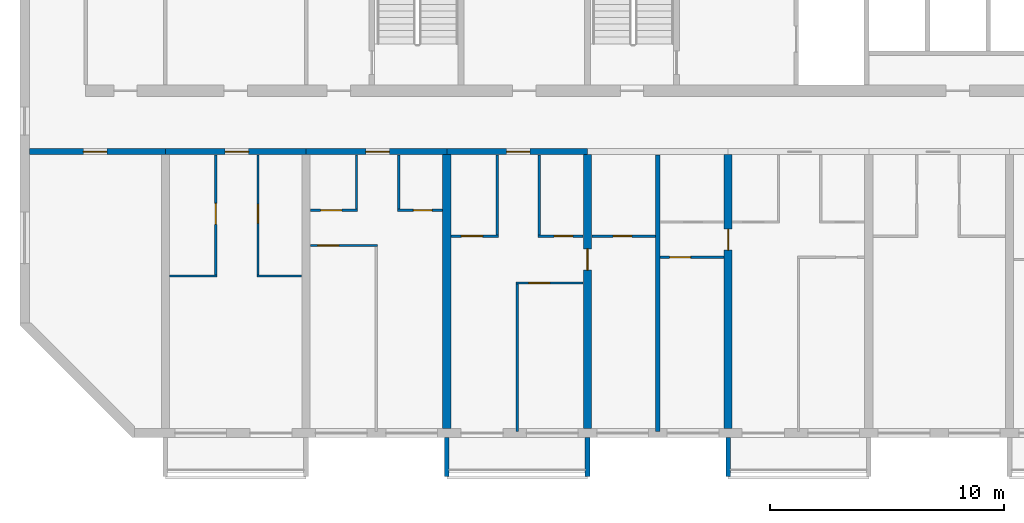
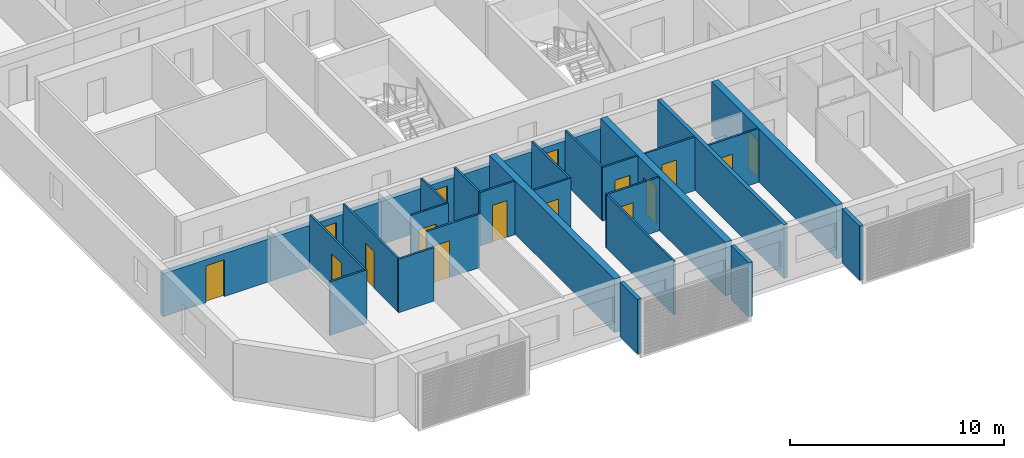
# One storey, part 2 of 25: 28 walls, 16 doors, 16 openings.
"""IFC4 building model written with IfcOpenShell, lengths in metres."""

from ifc_helpers import new_model, si_unit, direction, frame, frame_2d, origin, place, context, subcontext, project, spatial, polyline, rectangle, outline, extrude, source, transform, mapped, material, layer, layer_set, type_object, element, fill, save


model = new_model("IFC4")

# Units and contexts
model_context = context("Model", 3, precision=1e-05, world=origin(), true_north=direction((0.0, 1.0)))
body_context = subcontext(model_context, "Body", "Model", "MODEL_VIEW")
ifc_project = project(units=[si_unit("LENGTHUNIT", "METRE"), si_unit("AREAUNIT", "SQUARE_METRE"), si_unit("VOLUMEUNIT", "CUBIC_METRE"), si_unit("PLANEANGLEUNIT", "RADIAN"), si_unit("MASSUNIT", "GRAM", prefix="KILO")], contexts=[model_context])

# Site, building, storey
site_placement = place(None, origin())
site = spatial("IfcSite", under=ifc_project, at=site_placement, CompositionType="ELEMENT")
building_placement = place(site_placement, origin())
building = spatial("IfcBuilding", under=site, at=building_placement, Name="Poui Terraces", CompositionType="ELEMENT")
storey_placement = place(building_placement, frame((0.0, 0.0, 89.39990234375)))
storey = spatial("IfcBuildingStorey", under=building, at=storey_placement, Name="L24", CompositionType="ELEMENT", Elevation=89.39990234375)

# Wall, opening, door
ifc_material_1 = material(Name="Concrete 65 MPa", Category="concrete")
ifc_layer_1 = layer(ifc_material_1, 0.25)
ifc_layer_set_1 = layer_set([ifc_layer_1], Name="Concrete 65 MPa")
wall_type_1 = type_object("IfcWallType", Name="CORRIDOR WALL 250 65MPa", PredefinedType="SHEAR", material=ifc_layer_set_1)
wall_1_placement = place(storey_placement, frame((6.199951171875, 12.0, 0.0), z_axis=(0.0, 0.0, 1.0), x_axis=(1.0, 0.0, 0.0)))
wall_1 = element("IfcWall", 1, at=wall_1_placement, inside=storey, type_object=wall_type_1, Name="CORRIDOR WALL LINE B BAY 1", PredefinedType="SHEAR", context=body_context, shape_type="SweptSolid", body=[
    extrude(rectangle(XDim=5.800048828125, YDim=0.25, at=frame_2d((2.89990234375, 0.0))), origin(), (0.0, 0.0, 1.0), 2.460205078125),
])
opening_1_placement = place(wall_1_placement, frame((2.300048828125, 0.0, 0.0)))
opening_1 = element("IfcOpeningElement", 2, at=opening_1_placement, cuts=wall_1, Name="Opening D100", PredefinedType="OPENING", context=body_context, shape_type="SweptSolid", body=[
    extrude(rectangle(XDim=1.0, YDim=2.10009765625, at=frame_2d((0.5, 1.050048828125))), frame((0.0, 0.135009765625, 0.0), z_axis=(0.0, -1.0, 0.0), x_axis=(1.0, 0.0, 0.0)), (0.0, 0.0, 1.0), 0.27001953125),
])
ifc_material_2 = material(Name="Solid core timber door", Category="wood")
door_type_1 = type_object("IfcDoorType", Name="ACCESSIBLE INTERNAL DOOR 1000 X 2100", OperationType="NOTDEFINED", PredefinedType="DOOR", material=ifc_material_2)
door_1_placement = place(opening_1_placement, frame((1.0, 0.0, 0.0), z_axis=(0.0, 0.0, 1.0), x_axis=(-1.0, 0.0, 0.0)))
door_1 = element("IfcDoor", 3, at=door_1_placement, inside=storey, type_object=door_type_1, Name="ACCESSIBLE INTERNAL DOOR 085", OperationType="SINGLE_SWING_RIGHT", OverallHeight=2.10009765625, OverallWidth=1.0, PredefinedType="DOOR", context=body_context, shape_type="SweptSolid", body=[
    extrude(rectangle(XDim=1.0, YDim=2.10009765625, at=frame_2d((0.5, 1.050048828125))), frame((0.0, 0.02490234375, 0.0), z_axis=(0.0, -1.0, 0.0), x_axis=(1.0, 0.0, 0.0)), (0.0, 0.0, 1.0), 0.050048828125),
])
fill(opening_1, door_1)

wall_2_placement = place(storey_placement, frame((12.0, 12.0, 0.0), z_axis=(0.0, 0.0, 1.0), x_axis=(1.0, 0.0, 0.0)))
wall_2 = element("IfcWall", 4, at=wall_2_placement, inside=storey, type_object=wall_type_1, Name="CORRIDOR WALL LINE B BAY 2", PredefinedType="SHEAR", context=body_context, shape_type="SweptSolid", body=[
    extrude(rectangle(XDim=6.0, YDim=0.25, at=frame_2d((3.0, 0.0))), origin(), (0.0, 0.0, 1.0), 2.460205078125),
])
opening_2_placement = place(wall_2_placement, frame((2.550048828125, 0.0, 0.0)))
opening_2 = element("IfcOpeningElement", 5, at=opening_2_placement, cuts=wall_2, Name="Opening FD30S", PredefinedType="OPENING", context=body_context, shape_type="SweptSolid", body=[
    extrude(rectangle(XDim=1.0, YDim=2.10009765625, at=frame_2d((0.5, 1.050048828125))), frame((0.0, 0.135009765625, 0.0), z_axis=(0.0, -1.0, 0.0), x_axis=(1.0, 0.0, 0.0)), (0.0, 0.0, 1.0), 0.27001953125),
])
ifc_material_3 = material(Name="Steel fire door", Category="steel")
door_type_2 = type_object("IfcDoorType", Name="FLAT ENTRANCE DOOR 1000 X 2100", OperationType="NOTDEFINED", PredefinedType="DOOR", material=ifc_material_3)
door_2_placement = place(opening_2_placement, frame((1.0, 0.0, 0.0), z_axis=(0.0, 0.0, 1.0), x_axis=(-1.0, 0.0, 0.0)))
door_2 = element("IfcDoor", 6, at=door_2_placement, inside=storey, type_object=door_type_2, Name="FLAT ENTRANCE DOOR 087", OperationType="SINGLE_SWING_LEFT", OverallHeight=2.10009765625, OverallWidth=1.0, PredefinedType="DOOR", context=body_context, shape_type="SweptSolid", body=[
    extrude(rectangle(XDim=1.0, YDim=2.10009765625, at=frame_2d((0.5, 1.050048828125))), frame((0.0, 0.02490234375, 0.0), z_axis=(0.0, -1.0, 0.0), x_axis=(1.0, 0.0, 0.0)), (0.0, 0.0, 1.0), 0.050048828125),
])
fill(opening_2, door_2)

wall_3_placement = place(storey_placement, frame((18.0, 12.0, 0.0), z_axis=(0.0, 0.0, 1.0), x_axis=(1.0, 0.0, 0.0)))
wall_3 = element("IfcWall", 7, at=wall_3_placement, inside=storey, type_object=wall_type_1, Name="CORRIDOR WALL LINE B BAY 3", PredefinedType="SHEAR", context=body_context, shape_type="SweptSolid", body=[
    extrude(rectangle(XDim=6.0, YDim=0.25, at=frame_2d((3.0, 0.0))), origin(), (0.0, 0.0, 1.0), 2.460205078125),
])
opening_3_placement = place(wall_3_placement, frame((2.550048828125, 0.0, 0.0)))
opening_3 = element("IfcOpeningElement", 8, at=opening_3_placement, cuts=wall_3, Name="Opening FD30S", PredefinedType="OPENING", context=body_context, shape_type="SweptSolid", body=[
    extrude(rectangle(XDim=1.0, YDim=2.10009765625, at=frame_2d((0.5, 1.050048828125))), frame((0.0, 0.135009765625, 0.0), z_axis=(0.0, -1.0, 0.0), x_axis=(1.0, 0.0, 0.0)), (0.0, 0.0, 1.0), 0.27001953125),
])
door_3_placement = place(opening_3_placement, frame((1.0, 0.0, 0.0), z_axis=(0.0, 0.0, 1.0), x_axis=(-1.0, 0.0, 0.0)))
door_3 = element("IfcDoor", 9, at=door_3_placement, inside=storey, type_object=door_type_2, Name="FLAT ENTRANCE DOOR 091", OperationType="SINGLE_SWING_LEFT", OverallHeight=2.10009765625, OverallWidth=1.0, PredefinedType="DOOR", context=body_context, shape_type="SweptSolid", body=[
    extrude(rectangle(XDim=1.0, YDim=2.10009765625, at=frame_2d((0.5, 1.050048828125))), frame((0.0, 0.02490234375, 0.0), z_axis=(0.0, -1.0, 0.0), x_axis=(1.0, 0.0, 0.0)), (0.0, 0.0, 1.0), 0.050048828125),
])
fill(opening_3, door_3)

wall_4_placement = place(storey_placement, frame((24.0, 12.0, 0.0), z_axis=(0.0, 0.0, 1.0), x_axis=(1.0, 0.0, 0.0)))
wall_4 = element("IfcWall", 10, at=wall_4_placement, inside=storey, type_object=wall_type_1, Name="CORRIDOR WALL LINE B BAY 4", PredefinedType="SHEAR", context=body_context, shape_type="SweptSolid", body=[
    extrude(rectangle(XDim=6.0, YDim=0.25, at=frame_2d((3.0, 0.0))), origin(), (0.0, 0.0, 1.0), 2.460205078125),
])
opening_4_placement = place(wall_4_placement, frame((2.550048828125, 0.0, 0.0)))
opening_4 = element("IfcOpeningElement", 11, at=opening_4_placement, cuts=wall_4, Name="Opening FD30S", PredefinedType="OPENING", context=body_context, shape_type="SweptSolid", body=[
    extrude(rectangle(XDim=1.0, YDim=2.10009765625, at=frame_2d((0.5, 1.050048828125))), frame((0.0, 0.135009765625, 0.0), z_axis=(0.0, -1.0, 0.0), x_axis=(1.0, 0.0, 0.0)), (0.0, 0.0, 1.0), 0.27001953125),
])
door_4_placement = place(opening_4_placement, frame((1.0, 0.0, 0.0), z_axis=(0.0, 0.0, 1.0), x_axis=(-1.0, 0.0, 0.0)))
door_4 = element("IfcDoor", 12, at=door_4_placement, inside=storey, type_object=door_type_2, Name="FLAT ENTRANCE DOOR 095", OperationType="SINGLE_SWING_LEFT", OverallHeight=2.10009765625, OverallWidth=1.0, PredefinedType="DOOR", context=body_context, shape_type="SweptSolid", body=[
    extrude(rectangle(XDim=1.0, YDim=2.10009765625, at=frame_2d((0.5, 1.050048828125))), frame((0.0, 0.02490234375, 0.0), z_axis=(0.0, -1.0, 0.0), x_axis=(1.0, 0.0, 0.0)), (0.0, 0.0, 1.0), 0.050048828125),
])
fill(opening_4, door_4)

# Wall
ifc_layer_2 = layer(ifc_material_1, 0.35009765625)
ifc_layer_set_2 = layer_set([ifc_layer_2], Name="Concrete 65 MPa")
wall_type_2 = type_object("IfcWallType", Name="CROSS WALL 350 65MPa", PredefinedType="SHEAR", material=ifc_layer_set_2)
wall_5_placement = place(storey_placement, frame((24.0, 0.199951171875, 0.0), z_axis=(0.0, 0.0, 1.0), x_axis=(0.0, 1.0, 0.0)))
element("IfcWall", 13, at=wall_5_placement, inside=storey, type_object=wall_type_2, Name="CROSS WALL LINE 5 SOUTH", PredefinedType="SHEAR", context=body_context, shape_type="SweptSolid", body=[
    extrude(rectangle(XDim=11.675048828125, YDim=0.35009765625, at=frame_2d((5.83740234375, 0.0))), origin(), (0.0, 0.0, 1.0), 3.06005859375),
])

# Wall, opening, door
wall_6_placement = place(storey_placement, frame((30.0, 0.199951171875, 0.0), z_axis=(0.0, 0.0, 1.0), x_axis=(0.0, 1.0, 0.0)))
wall_6 = element("IfcWall", 14, at=wall_6_placement, inside=storey, type_object=wall_type_2, Name="CROSS WALL LINE 6 SOUTH", PredefinedType="SHEAR", context=body_context, shape_type="SweptSolid", body=[
    extrude(rectangle(XDim=11.675048828125, YDim=0.35009765625, at=frame_2d((5.83740234375, 0.0))), origin(), (0.0, 0.0, 1.0), 3.06005859375),
])
opening_5_placement = place(wall_6_placement, frame((6.75, 0.0, 0.0)))
opening_5 = element("IfcOpeningElement", 15, at=opening_5_placement, cuts=wall_6, Name="Opening D90", PredefinedType="OPENING", context=body_context, shape_type="SweptSolid", body=[
    extrude(rectangle(XDim=0.89990234375, YDim=2.10009765625, at=frame_2d((0.449951171875, 1.050048828125))), frame((0.0, 0.18505859375, 0.0), z_axis=(0.0, -1.0, 0.0), x_axis=(1.0, 0.0, 0.0)), (0.0, 0.0, 1.0), 0.3701171875),
])
door_type_3 = type_object("IfcDoorType", Name="INTERNAL DOOR 900 X 2100", OperationType="NOTDEFINED", PredefinedType="DOOR", material=ifc_material_2)
door_5_placement = place(opening_5_placement, frame((0.89990234375, 0.0, 0.0), z_axis=(0.0, 0.0, 1.0), x_axis=(-1.0, 0.0, 0.0)))
door_5 = element("IfcDoor", 16, at=door_5_placement, inside=storey, type_object=door_type_3, Name="INTERNAL DOOR 098", OperationType="SINGLE_SWING_LEFT", OverallHeight=2.10009765625, OverallWidth=0.89990234375, PredefinedType="DOOR", context=body_context, shape_type="SweptSolid", body=[
    extrude(rectangle(XDim=0.89990234375, YDim=2.10009765625, at=frame_2d((0.449951171875, 1.050048828125))), frame((0.0, 0.02490234375, 0.0), z_axis=(0.0, -1.0, 0.0), x_axis=(1.0, 0.0, 0.0)), (0.0, 0.0, 1.0), 0.050048828125),
])
fill(opening_5, door_5)

wall_7_placement = place(storey_placement, frame((36.0, 0.199951171875, 0.0), z_axis=(0.0, 0.0, 1.0), x_axis=(0.0, 1.0, 0.0)))
wall_7 = element("IfcWall", 17, at=wall_7_placement, inside=storey, type_object=wall_type_2, Name="CROSS WALL LINE 7 SOUTH", PredefinedType="SHEAR", context=body_context, shape_type="SweptSolid", body=[
    extrude(rectangle(XDim=11.675048828125, YDim=0.35009765625, at=frame_2d((5.83740234375, 0.0))), origin(), (0.0, 0.0, 1.0), 3.06005859375),
])
opening_6_placement = place(wall_7_placement, frame((7.60009765625, 0.0, 0.0)))
opening_6 = element("IfcOpeningElement", 18, at=opening_6_placement, cuts=wall_7, Name="Opening D90", PredefinedType="OPENING", context=body_context, shape_type="SweptSolid", body=[
    extrude(rectangle(XDim=0.89990234375, YDim=2.10009765625, at=frame_2d((0.449951171875, 1.050048828125))), frame((0.0, 0.18505859375, 0.0), z_axis=(0.0, -1.0, 0.0), x_axis=(1.0, 0.0, 0.0)), (0.0, 0.0, 1.0), 0.3701171875),
])
door_6_placement = place(opening_6_placement, frame((0.89990234375, 0.0, 0.0), z_axis=(0.0, 0.0, 1.0), x_axis=(-1.0, 0.0, 0.0)))
door_6 = element("IfcDoor", 19, at=door_6_placement, inside=storey, type_object=door_type_3, Name="INTERNAL DOOR 101", OperationType="SINGLE_SWING_LEFT", OverallHeight=2.10009765625, OverallWidth=0.89990234375, PredefinedType="DOOR", context=body_context, shape_type="SweptSolid", body=[
    extrude(rectangle(XDim=0.89990234375, YDim=2.10009765625, at=frame_2d((0.449951171875, 1.050048828125))), frame((0.0, 0.02490234375, 0.0), z_axis=(0.0, -1.0, 0.0), x_axis=(1.0, 0.0, 0.0)), (0.0, 0.0, 1.0), 0.050048828125),
])
fill(opening_6, door_6)

ifc_material_4 = material(Name="Plasterboard partition")
ifc_layer_3 = layer(ifc_material_4, 0.10009765625)
ifc_layer_set_3 = layer_set([ifc_layer_3], Name="Plasterboard partition")
wall_type_3 = type_object("IfcWallType", Name="FLAT PARTITION 100", PredefinedType="PARTITIONING", material=ifc_layer_set_3)
wall_8_placement = place(storey_placement, frame((26.949951171875, 6.39990234375, 0.0), z_axis=(0.0, 0.0, 1.0), x_axis=(1.0, 0.0, 0.0)))
wall_8 = element("IfcWall", 20, at=wall_8_placement, inside=storey, type_object=wall_type_3, Name="FLAT PARTITION 100", PredefinedType="PARTITIONING", context=body_context, shape_type="SweptSolid", body=[
    extrude(rectangle(XDim=2.864990234375, YDim=0.10009765625, at=frame_2d((1.4326171875, 0.0))), origin(), (0.0, 0.0, 1.0), 3.06005859375),
])
opening_7_placement = place(wall_8_placement, frame((0.550048828125, 0.0, 0.0)))
opening_7 = element("IfcOpeningElement", 21, at=opening_7_placement, cuts=wall_8, Name="Opening D90", PredefinedType="OPENING", context=body_context, shape_type="SweptSolid", body=[
    extrude(rectangle(XDim=0.89990234375, YDim=2.10009765625, at=frame_2d((0.449951171875, 1.050048828125))), frame((0.0, 0.06005859375, 0.0), z_axis=(0.0, -1.0, 0.0), x_axis=(1.0, 0.0, 0.0)), (0.0, 0.0, 1.0), 0.1201171875),
])
door_7_placement = place(opening_7_placement, origin())
door_7 = element("IfcDoor", 22, at=door_7_placement, inside=storey, type_object=door_type_3, Name="INTERNAL DOOR 096", OperationType="SINGLE_SWING_RIGHT", OverallHeight=2.10009765625, OverallWidth=0.89990234375, PredefinedType="DOOR", context=body_context, shape_type="SweptSolid", body=[
    extrude(rectangle(XDim=0.89990234375, YDim=2.10009765625, at=frame_2d((0.449951171875, 1.050048828125))), frame((0.0, 0.02490234375, 0.0), z_axis=(0.0, -1.0, 0.0), x_axis=(1.0, 0.0, 0.0)), (0.0, 0.0, 1.0), 0.050048828125),
])
fill(opening_7, door_7)

# Walls
wall_9_placement = place(storey_placement, frame((12.18505859375, 6.699951171875, 0.0), z_axis=(0.0, 0.0, 1.0), x_axis=(1.0, 0.0, 0.0)))
element("IfcWall", 23, at=wall_9_placement, inside=storey, type_object=wall_type_3, Name="FLAT PARTITION 100", PredefinedType="PARTITIONING", context=body_context, shape_type="SweptSolid", body=[
    extrude(rectangle(XDim=2.014892578125, YDim=0.10009765625, at=frame_2d((1.00732421875, 0.0))), origin(), (0.0, 0.0, 1.0), 3.06005859375),
])
wall_10_placement = place(storey_placement, frame((15.89990234375, 6.699951171875, 0.0), z_axis=(0.0, 0.0, 1.0), x_axis=(1.0, 0.0, 0.0)))
element("IfcWall", 24, at=wall_10_placement, inside=storey, type_object=wall_type_3, Name="FLAT PARTITION 100", PredefinedType="PARTITIONING", context=body_context, shape_type="SweptSolid", body=[
    extrude(rectangle(XDim=1.9150390625, YDim=0.10009765625, at=frame_2d((0.95751953125, 0.0))), origin(), (0.0, 0.0, 1.0), 3.06005859375),
])

# Wall, opening, door
wall_11_placement = place(storey_placement, frame((33.10009765625, 7.5, 0.0), z_axis=(0.0, 0.0, 1.0), x_axis=(1.0, 0.0, 0.0)))
wall_11 = element("IfcWall", 25, at=wall_11_placement, inside=storey, type_object=wall_type_3, Name="FLAT PARTITION 100", PredefinedType="PARTITIONING", context=body_context, shape_type="SweptSolid", body=[
    extrude(rectangle(XDim=2.71484375, YDim=0.10009765625, at=frame_2d((1.357421875, 0.0))), origin(), (0.0, 0.0, 1.0), 3.06005859375),
])
opening_8_placement = place(wall_11_placement, frame((0.39990234375, 0.0, 0.0)))
opening_8 = element("IfcOpeningElement", 26, at=opening_8_placement, cuts=wall_11, Name="Opening D90", PredefinedType="OPENING", context=body_context, shape_type="SweptSolid", body=[
    extrude(rectangle(XDim=0.89990234375, YDim=2.10009765625, at=frame_2d((0.449951171875, 1.050048828125))), frame((0.0, 0.06005859375, 0.0), z_axis=(0.0, -1.0, 0.0), x_axis=(1.0, 0.0, 0.0)), (0.0, 0.0, 1.0), 0.1201171875),
])
door_8_placement = place(opening_8_placement, frame((0.89990234375, 0.0, 0.0), z_axis=(0.0, 0.0, 1.0), x_axis=(-1.0, 0.0, 0.0)))
door_8 = element("IfcDoor", 27, at=door_8_placement, inside=storey, type_object=door_type_3, Name="INTERNAL DOOR 099", OperationType="SINGLE_SWING_RIGHT", OverallHeight=2.10009765625, OverallWidth=0.89990234375, PredefinedType="DOOR", context=body_context, shape_type="SweptSolid", body=[
    extrude(rectangle(XDim=0.89990234375, YDim=2.10009765625, at=frame_2d((0.449951171875, 1.050048828125))), frame((0.0, 0.02490234375, 0.0), z_axis=(0.0, -1.0, 0.0), x_axis=(1.0, 0.0, 0.0)), (0.0, 0.0, 1.0), 0.050048828125),
])
fill(opening_8, door_8)

wall_12_placement = place(storey_placement, frame((18.18505859375, 8.0, 0.0), z_axis=(0.0, 0.0, 1.0), x_axis=(1.0, 0.0, 0.0)))
wall_12 = element("IfcWall", 28, at=wall_12_placement, inside=storey, type_object=wall_type_3, Name="FLAT PARTITION 100", PredefinedType="PARTITIONING", context=body_context, shape_type="SweptSolid", body=[
    extrude(rectangle(XDim=2.864990234375, YDim=0.10009765625, at=frame_2d((1.4326171875, 0.0))), origin(), (0.0, 0.0, 1.0), 3.06005859375),
])
opening_9_placement = place(wall_12_placement, frame((0.31494140625, 0.0, 0.0)))
opening_9 = element("IfcOpeningElement", 29, at=opening_9_placement, cuts=wall_12, Name="Opening D90", PredefinedType="OPENING", context=body_context, shape_type="SweptSolid", body=[
    extrude(rectangle(XDim=0.89990234375, YDim=2.10009765625, at=frame_2d((0.449951171875, 1.050048828125))), frame((0.0, 0.06005859375, 0.0), z_axis=(0.0, -1.0, 0.0), x_axis=(1.0, 0.0, 0.0)), (0.0, 0.0, 1.0), 0.1201171875),
])
door_9_placement = place(opening_9_placement, origin())
door_9 = element("IfcDoor", 30, at=door_9_placement, inside=storey, type_object=door_type_3, Name="INTERNAL DOOR 089", OperationType="SINGLE_SWING_RIGHT", OverallHeight=2.10009765625, OverallWidth=0.89990234375, PredefinedType="DOOR", context=body_context, shape_type="SweptSolid", body=[
    extrude(rectangle(XDim=0.89990234375, YDim=2.10009765625, at=frame_2d((0.449951171875, 1.050048828125))), frame((0.0, 0.02490234375, 0.0), z_axis=(0.0, -1.0, 0.0), x_axis=(1.0, 0.0, 0.0)), (0.0, 0.0, 1.0), 0.050048828125),
])
fill(opening_9, door_9)

wall_13_placement = place(storey_placement, frame((24.18505859375, 8.39990234375, 0.0), z_axis=(0.0, 0.0, 1.0), x_axis=(1.0, 0.0, 0.0)))
wall_13 = element("IfcWall", 31, at=wall_13_placement, inside=storey, type_object=wall_type_3, Name="FLAT PARTITION 100", PredefinedType="PARTITIONING", context=body_context, shape_type="SweptSolid", body=[
    extrude(rectangle(XDim=2.014892578125, YDim=0.10009765625, at=frame_2d((1.00732421875, 0.0))), origin(), (0.0, 0.0, 1.0), 3.06005859375),
])
opening_10_placement = place(wall_13_placement, frame((0.43994140625, 0.0, 0.0)))
opening_10 = element("IfcOpeningElement", 32, at=opening_10_placement, cuts=wall_13, Name="Opening D90", PredefinedType="OPENING", context=body_context, shape_type="SweptSolid", body=[
    extrude(rectangle(XDim=0.89990234375, YDim=2.10009765625, at=frame_2d((0.449951171875, 1.050048828125))), frame((0.0, 0.06005859375, 0.0), z_axis=(0.0, -1.0, 0.0), x_axis=(1.0, 0.0, 0.0)), (0.0, 0.0, 1.0), 0.1201171875),
])
door_10_placement = place(opening_10_placement, origin())
door_10 = element("IfcDoor", 33, at=door_10_placement, inside=storey, type_object=door_type_3, Name="INTERNAL DOOR 094", OperationType="SINGLE_SWING_RIGHT", OverallHeight=2.10009765625, OverallWidth=0.89990234375, PredefinedType="DOOR", context=body_context, shape_type="SweptSolid", body=[
    extrude(rectangle(XDim=0.89990234375, YDim=2.10009765625, at=frame_2d((0.449951171875, 1.050048828125))), frame((0.0, 0.02490234375, 0.0), z_axis=(0.0, -1.0, 0.0), x_axis=(1.0, 0.0, 0.0)), (0.0, 0.0, 1.0), 0.050048828125),
])
fill(opening_10, door_10)

wall_14_placement = place(storey_placement, frame((27.89990234375, 8.39990234375, 0.0), z_axis=(0.0, 0.0, 1.0), x_axis=(1.0, 0.0, 0.0)))
wall_14 = element("IfcWall", 34, at=wall_14_placement, inside=storey, type_object=wall_type_3, Name="FLAT PARTITION 100", PredefinedType="PARTITIONING", context=body_context, shape_type="SweptSolid", body=[
    extrude(rectangle(XDim=1.9150390625, YDim=0.10009765625, at=frame_2d((0.95751953125, 0.0))), origin(), (0.0, 0.0, 1.0), 3.06005859375),
])
opening_11_placement = place(wall_14_placement, frame((0.675048828125, 0.0, 0.0)))
opening_11 = element("IfcOpeningElement", 35, at=opening_11_placement, cuts=wall_14, Name="Opening D80", PredefinedType="OPENING", context=body_context, shape_type="SweptSolid", body=[
    extrude(rectangle(XDim=0.800048828125, YDim=2.10009765625, at=frame_2d((0.39990234375, 1.050048828125))), frame((0.0, 0.06005859375, 0.0), z_axis=(0.0, -1.0, 0.0), x_axis=(1.0, 0.0, 0.0)), (0.0, 0.0, 1.0), 0.1201171875),
])
door_type_4 = type_object("IfcDoorType", Name="BATHROOM, LAUNDRY AND STORE DOOR 800 X 2100", OperationType="NOTDEFINED", PredefinedType="DOOR", material=ifc_material_2)
door_11_placement = place(opening_11_placement, origin())
door_11 = element("IfcDoor", 36, at=door_11_placement, inside=storey, type_object=door_type_4, Name="BATHROOM, LAUNDRY AND STORE DOOR 097", OperationType="SINGLE_SWING_LEFT", OverallHeight=2.10009765625, OverallWidth=0.800048828125, PredefinedType="DOOR", context=body_context, shape_type="SweptSolid", body=[
    extrude(rectangle(XDim=0.800048828125, YDim=2.10009765625, at=frame_2d((0.39990234375, 1.050048828125))), frame((0.0, 0.02490234375, 0.0), z_axis=(0.0, -1.0, 0.0), x_axis=(1.0, 0.0, 0.0)), (0.0, 0.0, 1.0), 0.050048828125),
])
fill(opening_11, door_11)

wall_15_placement = place(storey_placement, frame((30.18505859375, 8.39990234375, 0.0), z_axis=(0.0, 0.0, 1.0), x_axis=(1.0, 0.0, 0.0)))
wall_15 = element("IfcWall", 37, at=wall_15_placement, inside=storey, type_object=wall_type_3, Name="FLAT PARTITION 100", PredefinedType="PARTITIONING", context=body_context, shape_type="SweptSolid", body=[
    extrude(rectangle(XDim=2.71484375, YDim=0.10009765625, at=frame_2d((1.357421875, 0.0))), origin(), (0.0, 0.0, 1.0), 3.06005859375),
])
opening_12_placement = place(wall_15_placement, frame((0.9150390625, 0.0, 0.0)))
opening_12 = element("IfcOpeningElement", 38, at=opening_12_placement, cuts=wall_15, Name="Opening D80", PredefinedType="OPENING", context=body_context, shape_type="SweptSolid", body=[
    extrude(rectangle(XDim=0.800048828125, YDim=2.10009765625, at=frame_2d((0.39990234375, 1.050048828125))), frame((0.0, 0.06005859375, 0.0), z_axis=(0.0, -1.0, 0.0), x_axis=(1.0, 0.0, 0.0)), (0.0, 0.0, 1.0), 0.1201171875),
])
door_12_placement = place(opening_12_placement, origin())
door_12 = element("IfcDoor", 39, at=door_12_placement, inside=storey, type_object=door_type_4, Name="BATHROOM, LAUNDRY AND STORE DOOR 093", OperationType="SINGLE_SWING_RIGHT", OverallHeight=2.10009765625, OverallWidth=0.800048828125, PredefinedType="DOOR", context=body_context, shape_type="SweptSolid", body=[
    extrude(rectangle(XDim=0.800048828125, YDim=2.10009765625, at=frame_2d((0.39990234375, 1.050048828125))), frame((0.0, 0.02490234375, 0.0), z_axis=(0.0, -1.0, 0.0), x_axis=(1.0, 0.0, 0.0)), (0.0, 0.0, 1.0), 0.050048828125),
])
fill(opening_12, door_12)

wall_16_placement = place(storey_placement, frame((18.18505859375, 9.5, 0.0), z_axis=(0.0, 0.0, 1.0), x_axis=(1.0, 0.0, 0.0)))
wall_16 = element("IfcWall", 40, at=wall_16_placement, inside=storey, type_object=wall_type_3, Name="FLAT PARTITION 100", PredefinedType="PARTITIONING", context=body_context, shape_type="SweptSolid", body=[
    extrude(rectangle(XDim=2.014892578125, YDim=0.10009765625, at=frame_2d((1.00732421875, 0.0))), origin(), (0.0, 0.0, 1.0), 3.06005859375),
])
opening_13_placement = place(wall_16_placement, frame((0.43994140625, 0.0, 0.0)))
opening_13 = element("IfcOpeningElement", 41, at=opening_13_placement, cuts=wall_16, Name="Opening D90", PredefinedType="OPENING", context=body_context, shape_type="SweptSolid", body=[
    extrude(rectangle(XDim=0.89990234375, YDim=2.10009765625, at=frame_2d((0.449951171875, 1.050048828125))), frame((0.0, 0.06005859375, 0.0), z_axis=(0.0, -1.0, 0.0), x_axis=(1.0, 0.0, 0.0)), (0.0, 0.0, 1.0), 0.1201171875),
])
door_13_placement = place(opening_13_placement, origin())
door_13 = element("IfcDoor", 42, at=door_13_placement, inside=storey, type_object=door_type_3, Name="INTERNAL DOOR 090", OperationType="SINGLE_SWING_LEFT", OverallHeight=2.10009765625, OverallWidth=0.89990234375, PredefinedType="DOOR", context=body_context, shape_type="SweptSolid", body=[
    extrude(rectangle(XDim=0.89990234375, YDim=2.10009765625, at=frame_2d((0.449951171875, 1.050048828125))), frame((0.0, 0.02490234375, 0.0), z_axis=(0.0, -1.0, 0.0), x_axis=(1.0, 0.0, 0.0)), (0.0, 0.0, 1.0), 0.050048828125),
])
fill(opening_13, door_13)

wall_17_placement = place(storey_placement, frame((21.89990234375, 9.5, 0.0), z_axis=(0.0, 0.0, 1.0), x_axis=(1.0, 0.0, 0.0)))
wall_17 = element("IfcWall", 43, at=wall_17_placement, inside=storey, type_object=wall_type_3, Name="FLAT PARTITION 100", PredefinedType="PARTITIONING", context=body_context, shape_type="SweptSolid", body=[
    extrude(rectangle(XDim=1.9150390625, YDim=0.10009765625, at=frame_2d((0.95751953125, 0.0))), origin(), (0.0, 0.0, 1.0), 3.06005859375),
])
opening_14_placement = place(wall_17_placement, frame((0.675048828125, 0.0, 0.0)))
opening_14 = element("IfcOpeningElement", 44, at=opening_14_placement, cuts=wall_17, Name="Opening D80", PredefinedType="OPENING", context=body_context, shape_type="SweptSolid", body=[
    extrude(rectangle(XDim=0.800048828125, YDim=2.10009765625, at=frame_2d((0.39990234375, 1.050048828125))), frame((0.0, 0.06005859375, 0.0), z_axis=(0.0, -1.0, 0.0), x_axis=(1.0, 0.0, 0.0)), (0.0, 0.0, 1.0), 0.1201171875),
])
door_14_placement = place(opening_14_placement, origin())
door_14 = element("IfcDoor", 45, at=door_14_placement, inside=storey, type_object=door_type_4, Name="BATHROOM, LAUNDRY AND STORE DOOR 092", OperationType="SINGLE_SWING_RIGHT", OverallHeight=2.10009765625, OverallWidth=0.800048828125, PredefinedType="DOOR", context=body_context, shape_type="SweptSolid", body=[
    extrude(rectangle(XDim=0.800048828125, YDim=2.10009765625, at=frame_2d((0.39990234375, 1.050048828125))), frame((0.0, 0.02490234375, 0.0), z_axis=(0.0, -1.0, 0.0), x_axis=(1.0, 0.0, 0.0)), (0.0, 0.0, 1.0), 0.050048828125),
])
fill(opening_14, door_14)

wall_18_placement = place(storey_placement, frame((14.14990234375, 6.75, 0.0), z_axis=(0.0, 0.0, 1.0), x_axis=(0.0, 1.0, 0.0)))
wall_18 = element("IfcWall", 46, at=wall_18_placement, inside=storey, type_object=wall_type_3, Name="FLAT PARTITION 100", PredefinedType="PARTITIONING", context=body_context, shape_type="SweptSolid", body=[
    extrude(rectangle(XDim=5.114990234375, YDim=0.10009765625, at=frame_2d((2.5576171875, 0.0))), origin(), (0.0, 0.0, 1.0), 3.06005859375),
])
opening_15_placement = place(wall_18_placement, frame((2.14990234375, 0.0, 0.0)))
opening_15 = element("IfcOpeningElement", 47, at=opening_15_placement, cuts=wall_18, Name="Opening D90", PredefinedType="OPENING", context=body_context, shape_type="SweptSolid", body=[
    extrude(rectangle(XDim=0.89990234375, YDim=2.10009765625, at=frame_2d((0.449951171875, 1.050048828125))), frame((0.0, 0.06005859375, 0.0), z_axis=(0.0, -1.0, 0.0), x_axis=(1.0, 0.0, 0.0)), (0.0, 0.0, 1.0), 0.1201171875),
])
door_15_placement = place(opening_15_placement, origin())
door_15 = element("IfcDoor", 48, at=door_15_placement, inside=storey, type_object=door_type_3, Name="INTERNAL DOOR 086", OperationType="SINGLE_SWING_LEFT", OverallHeight=2.10009765625, OverallWidth=0.89990234375, PredefinedType="DOOR", context=body_context, shape_type="SweptSolid", body=[
    extrude(rectangle(XDim=0.89990234375, YDim=2.10009765625, at=frame_2d((0.449951171875, 1.050048828125))), frame((0.0, 0.02490234375, 0.0), z_axis=(0.0, -1.0, 0.0), x_axis=(1.0, 0.0, 0.0)), (0.0, 0.0, 1.0), 0.050048828125),
])
fill(opening_15, door_15)

wall_19_placement = place(storey_placement, frame((15.949951171875, 6.75, 0.0), z_axis=(0.0, 0.0, 1.0), x_axis=(0.0, 1.0, 0.0)))
wall_19 = element("IfcWall", 49, at=wall_19_placement, inside=storey, type_object=wall_type_3, Name="FLAT PARTITION 100", PredefinedType="PARTITIONING", context=body_context, shape_type="SweptSolid", body=[
    extrude(rectangle(XDim=5.114990234375, YDim=0.10009765625, at=frame_2d((2.5576171875, 0.0))), origin(), (0.0, 0.0, 1.0), 3.06005859375),
])
opening_16_placement = place(wall_19_placement, frame((2.199951171875, 0.0, 0.0)))
opening_16 = element("IfcOpeningElement", 50, at=opening_16_placement, cuts=wall_19, Name="Opening D80", PredefinedType="OPENING", context=body_context, shape_type="SweptSolid", body=[
    extrude(rectangle(XDim=0.800048828125, YDim=2.10009765625, at=frame_2d((0.39990234375, 1.050048828125))), frame((0.0, 0.06005859375, 0.0), z_axis=(0.0, -1.0, 0.0), x_axis=(1.0, 0.0, 0.0)), (0.0, 0.0, 1.0), 0.1201171875),
])
door_16_placement = place(opening_16_placement, frame((0.800048828125, 0.0, 0.0), z_axis=(0.0, 0.0, 1.0), x_axis=(-1.0, 0.0, 0.0)))
door_16 = element("IfcDoor", 51, at=door_16_placement, inside=storey, type_object=door_type_4, Name="BATHROOM, LAUNDRY AND STORE DOOR 088", OperationType="SINGLE_SWING_LEFT", OverallHeight=2.10009765625, OverallWidth=0.800048828125, PredefinedType="DOOR", context=body_context, shape_type="SweptSolid", body=[
    extrude(rectangle(XDim=0.800048828125, YDim=2.10009765625, at=frame_2d((0.39990234375, 1.050048828125))), frame((0.0, 0.02490234375, 0.0), z_axis=(0.0, -1.0, 0.0), x_axis=(1.0, 0.0, 0.0)), (0.0, 0.0, 1.0), 0.050048828125),
])
fill(opening_16, door_16)

# Walls
for number, where, z_axis, x_axis, name in (
    (52, (20.14990234375, 9.550048828125, 0.0), (0.0, 0.0, 1.0), (0.0, 1.0, 0.0), "FLAT PARTITION 100"),
    (53, (21.949951171875, 9.550048828125, 0.0), (0.0, 0.0, 1.0), (0.0, 1.0, 0.0), "FLAT PARTITION 100"),
):
    element("IfcWall", number, at=place(storey_placement, frame(where, z_axis=z_axis, x_axis=x_axis)), inside=storey, type_object=wall_type_3, Name=name, PredefinedType="PARTITIONING", context=body_context, shape_type="SweptSolid", body=[
        extrude(rectangle(XDim=2.31494140625, YDim=0.10009765625, at=frame_2d((1.157470703125, 0.0))), origin(), (0.0, 0.0, 1.0), 3.06005859375),
    ])
wall_20_placement = place(storey_placement, frame((26.14990234375, 8.449951171875, 0.0), z_axis=(0.0, 0.0, 1.0), x_axis=(0.0, 1.0, 0.0)))
element("IfcWall", 54, at=wall_20_placement, inside=storey, type_object=wall_type_3, Name="FLAT PARTITION 100", PredefinedType="PARTITIONING", context=body_context, shape_type="SweptSolid", body=[
    extrude(rectangle(XDim=3.4150390625, YDim=0.10009765625, at=frame_2d((1.70751953125, 0.0))), origin(), (0.0, 0.0, 1.0), 3.06005859375),
])
wall_21_placement = place(storey_placement, frame((27.0, 0.06005859375, 0.0), z_axis=(0.0, 0.0, 1.0), x_axis=(0.0, 1.0, 0.0)))
element("IfcWall", 55, at=wall_21_placement, inside=storey, type_object=wall_type_3, Name="FLAT PARTITION 100", PredefinedType="PARTITIONING", context=body_context, shape_type="SweptSolid", body=[
    extrude(rectangle(XDim=6.2900390625, YDim=0.10009765625, at=frame_2d((3.14501953125, 0.0))), origin(), (0.0, 0.0, 1.0), 3.06005859375),
])
wall_22_placement = place(storey_placement, frame((27.949951171875, 8.449951171875, 0.0), z_axis=(0.0, 0.0, 1.0), x_axis=(0.0, 1.0, 0.0)))
element("IfcWall", 56, at=wall_22_placement, inside=storey, type_object=wall_type_3, Name="FLAT PARTITION 100", PredefinedType="PARTITIONING", context=body_context, shape_type="SweptSolid", body=[
    extrude(rectangle(XDim=3.4150390625, YDim=0.10009765625, at=frame_2d((1.70751953125, 0.0))), origin(), (0.0, 0.0, 1.0), 3.06005859375),
])
ifc_material_5 = material(Name="Fire-rated masonry wall", Category="masonry")
ifc_layer_4 = layer(ifc_material_5, 0.199951171875)
ifc_layer_set_4 = layer_set([ifc_layer_4], Name="Fire-rated masonry wall")
wall_type_4 = type_object("IfcWallType", Name="FLAT PARTY WALL 200", PredefinedType="PARTITIONING", material=ifc_layer_set_4)
wall_23_placement = place(storey_placement, frame((33.0, 0.06005859375, 0.0), z_axis=(0.0, 0.0, 1.0), x_axis=(0.0, 1.0, 0.0)))
element("IfcWall", 57, at=wall_23_placement, inside=storey, type_object=wall_type_4, Name="FLAT PARTY WALL 200", PredefinedType="PARTITIONING", context=body_context, shape_type="SweptSolid", body=[
    extrude(rectangle(XDim=11.804931640625, YDim=0.199951171875, at=frame_2d((5.90234375, 0.0))), origin(), (0.0, 0.0, 1.0), 3.06005859375),
])
ifc_material_6 = material(Name="Precast concrete 40 MPa", Category="concrete")
ifc_layer_5 = layer(ifc_material_6, 0.199951171875)
ifc_layer_set_5 = layer_set([ifc_layer_5], Name="Precast concrete 40 MPa")
wall_type_5 = type_object("IfcWallType", Name="REAR FIN 200", PredefinedType="STANDARD", material=ifc_layer_set_5)
shared_shape = source(origin(), body_context, "Body", "SweptSolid", [
    extrude(outline(polyline([(0.0, 0.0), (0.2001953125, 0.0), (0.2001953125, 1.650146484375), (0.0, 1.650146484375), (0.0, 0.0)])), origin(), (0.0, 0.0, 1.0), 3.10009765625),
])
for number, where, name in (
    (58, (23.89990234375, -1.85009765625, 0.0), "REAR FIN"),
    (59, (29.89990234375, -1.85009765625, 0.0), "REAR FIN"),
    (60, (35.89990234375, -1.85009765625, 0.0), "REAR FIN"),
):
    element("IfcWall", number, at=place(storey_placement, frame(where)), inside=storey, type_object=wall_type_5, Name=name, PredefinedType="STANDARD", context=body_context, shape_type="MappedRepresentation", body=[
        mapped(shared_shape, transform((0.0, 0.0, 0.0))),
    ])

save(model, "model.ifc")
